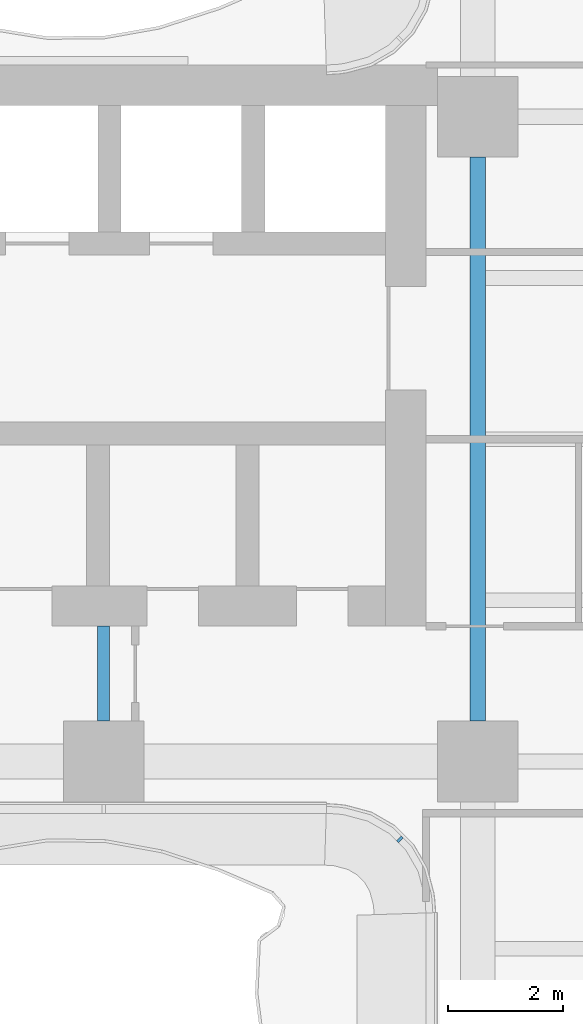
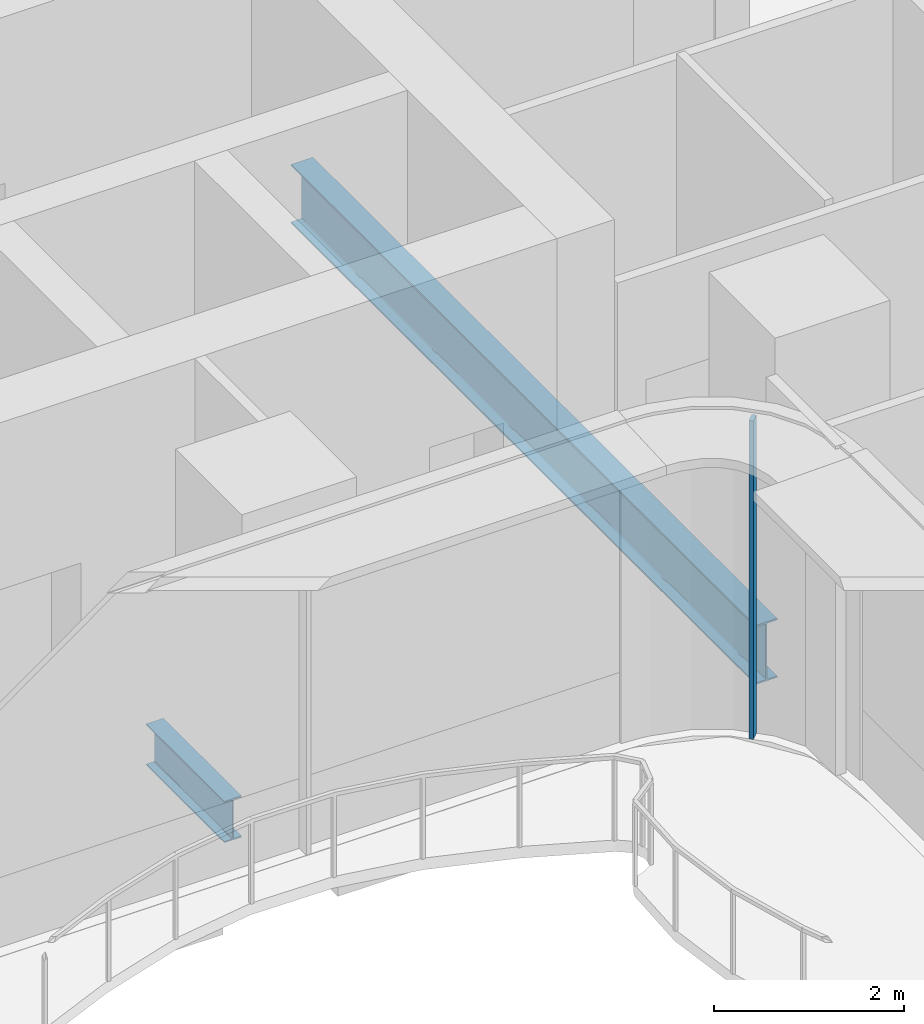
# One storey, part 4 of 22: 2 beams, 1 member, 1 element without a shape of its own.
"""IFC4 building model written with IfcOpenShell, lengths in metres."""

from ifc_helpers import new_model, si_unit, direction, frame, origin, origin_2d, place, context, subcontext, project, spatial, rectangle, i_section, extrude, source, transform, mapped, material, layer, layer_set, material_profile, profile_set, type_object, element, aggregate, save


model = new_model("IFC4")

# Units and contexts
model_context = context("Model", 3, precision=1e-05, world=origin(), true_north=direction((0.0, 1.0)))
body_context = subcontext(model_context, "Body", "Model", "MODEL_VIEW")
ifc_project = project(units=[si_unit("LENGTHUNIT", "METRE"), si_unit("AREAUNIT", "SQUARE_METRE"), si_unit("VOLUMEUNIT", "CUBIC_METRE"), si_unit("PLANEANGLEUNIT", "RADIAN"), si_unit("MASSUNIT", "GRAM", prefix="KILO")], contexts=[model_context])

# Site, building, storey
site_placement = place(None, origin())
site = spatial("IfcSite", under=ifc_project, at=site_placement, CompositionType="ELEMENT")
building_placement = place(site_placement, origin())
building = spatial("IfcBuilding", under=site, at=building_placement, Name="Trellis Farm Tower", CompositionType="ELEMENT")
storey_placement = place(building_placement, frame((0.0, 0.0, 43.0)))
storey = spatial("IfcBuildingStorey", under=building, at=storey_placement, Name="L08", CompositionType="ELEMENT", Elevation=43.0)

# Beams
ifc_material_1 = material(Name="Steel S355", Category="steel")
ifc_material_profile_1 = material_profile(ifc_material_1, i_section(OverallWidth=0.2666015625, OverallDepth=0.76220703125, WebThickness=0.014404296875, FlangeThickness=0.021484375, FilletRadius=0.0166015625, at=origin_2d()), Name="UB 762x267x173")
ifc_profile_set_1 = profile_set([ifc_material_profile_1], Name="Steel S355")
beam_type_1 = type_object("IfcBeamType", Name="UB 762x267x173", PredefinedType="BEAM", material=ifc_profile_set_1)
shared_shape_1 = source(origin(), body_context, "Body", "SweptSolid", [
    extrude(i_section(OverallWidth=0.2666015625, OverallDepth=0.76220703125, WebThickness=0.014404296875, FlangeThickness=0.021484375, FilletRadius=0.0166015625, at=origin_2d()), origin(), (0.0, 0.0, 1.0), 9.7998046875),
])
beam_1_placement = place(storey_placement, frame((-5.60009765625, -4.89990234375, -0.631103515625), z_axis=(0.0, 1.0, 0.0), x_axis=(-1.0, 0.0, 0.0)))
element("IfcBeam", 1, at=beam_1_placement, inside=storey, type_object=beam_type_1, Name="Girder", PredefinedType="BEAM", context=body_context, shape_type="MappedRepresentation", body=[
    mapped(shared_shape_1, transform((0.0, 0.0, 0.0))),
])
ifc_material_profile_2 = material_profile(ifc_material_1, i_section(OverallWidth=0.209228515625, OverallDepth=0.533203125, WebThickness=0.010009765625, FlangeThickness=0.015625, FilletRadius=0.0126953125, at=origin_2d()), Name="UB 533x210x92")
ifc_profile_set_2 = profile_set([ifc_material_profile_2], Name="Steel S355")
beam_type_2 = type_object("IfcBeamType", Name="UB 533x210x92", PredefinedType="BEAM", material=ifc_profile_set_2)
shared_shape_2 = source(origin(), body_context, "Body", "SweptSolid", [
    extrude(i_section(OverallWidth=0.209228515625, OverallDepth=0.533203125, WebThickness=0.010009765625, FlangeThickness=0.015625, FilletRadius=0.0126953125, at=origin_2d()), origin(), (0.0, 0.0, 1.0), 1.64990234375),
])
beam_2_placement = place(storey_placement, frame((-12.10009765625, -4.89990234375, -0.5166015625), z_axis=(0.0, 1.0, 0.0), x_axis=(-1.0, 0.0, 0.0)))
element("IfcBeam", 2, at=beam_2_placement, inside=storey, type_object=beam_type_2, Name="Girder", PredefinedType="BEAM", context=body_context, shape_type="MappedRepresentation", body=[
    mapped(shared_shape_2, transform((0.0, 0.0, 0.0))),
])

# Curtain wall, member
ifc_material_2 = material(Name="Aluminium and glass curtain wall", Category="aluminium")
ifc_layer = layer(ifc_material_2, 0.166015625)
ifc_layer_set = layer_set([ifc_layer], Name="WINTER GARDEN CURTAIN WALL CW3")
curtain_wall_type = type_object("IfcCurtainWallType", Name="WINTER GARDEN CURTAIN WALL CW3", PredefinedType="NOTDEFINED", material=ifc_layer_set)
curtain_wall_placement = place(storey_placement, origin())
curtain_wall = element("IfcCurtainWall", 3, at=curtain_wall_placement, inside=storey, type_object=curtain_wall_type, Name="CW3 001", PredefinedType="NOTDEFINED")
ifc_material_3 = material(Name="Aluminium extrusion 6063-T6", Category="aluminium")
ifc_material_profile_3 = material_profile(ifc_material_3, rectangle(XDim=0.050048828125, YDim=0.1201171875, at=origin_2d()), Name="MULLION 50x120")
ifc_profile_set_3 = profile_set([ifc_material_profile_3], Name="Aluminium extrusion 6063-T6")
member_type = type_object("IfcMemberType", Name="CW3 MULLION 50x120", PredefinedType="MULLION", material=ifc_profile_set_3)
shared_shape_3 = source(origin(), body_context, "Body", "SweptSolid", [
    extrude(rectangle(XDim=0.050048828125, YDim=0.1201171875, at=origin_2d()), origin(), (0.0, 0.0, 1.0), 4.10009765625),
])
member_placement = place(storey_placement, frame((-6.953125, -6.953125, 0.0), z_axis=(0.0, 0.0, 1.0), x_axis=(0.707106781187, -0.707106781187, 0.0)))
member = element("IfcMember", 4, at=member_placement, type_object=member_type, Name="MU3 001-01", PredefinedType="MULLION", context=body_context, shape_type="MappedRepresentation", body=[
    mapped(shared_shape_3, transform((0.0, 0.0, 0.0))),
])
aggregate(curtain_wall, [member])

save(model, "model.ifc")
